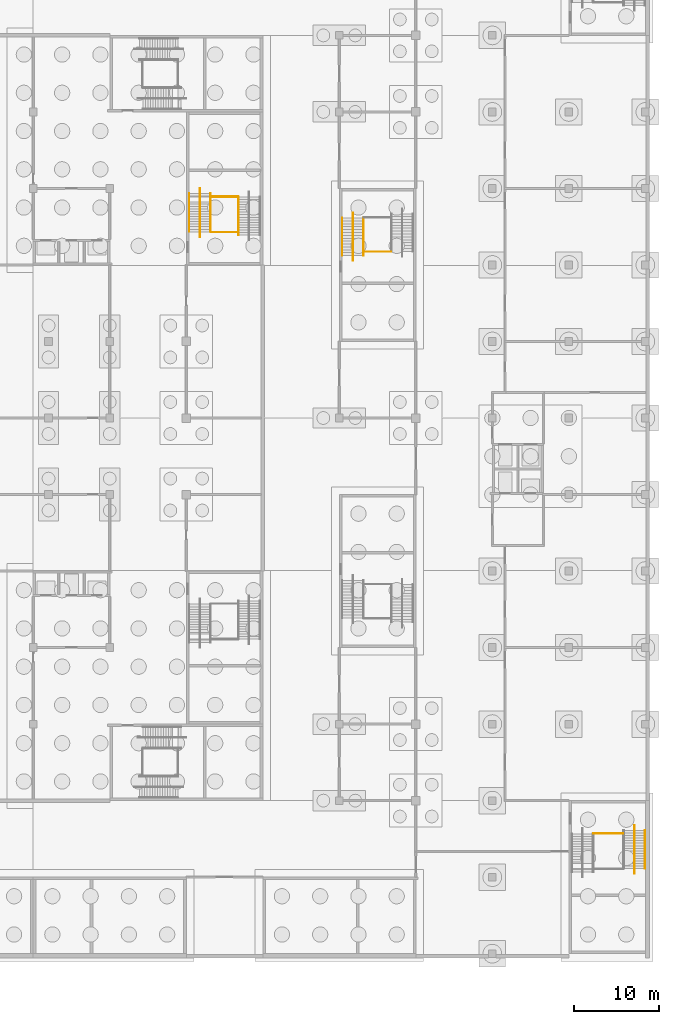
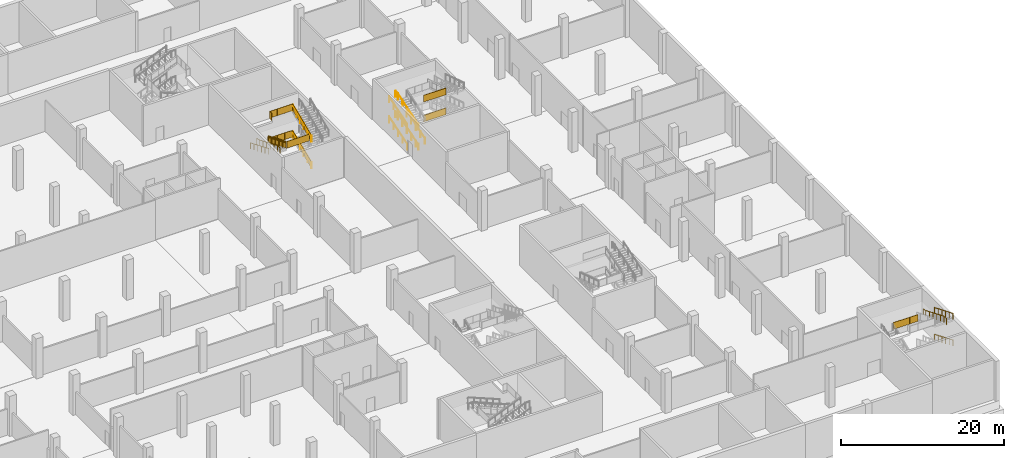
# One storey, part 38 of 42: 22 railings.
"""IFC4 building model written with IfcOpenShell, lengths in metres."""

from ifc_helpers import new_model, si_unit, direction, frame, origin, origin_2d, place, context, subcontext, project, spatial, polyline, circle, outline, extrude, material, type_object, element, save


model = new_model("IFC4")

# Units and contexts
model_context = context("Model", 3, precision=1e-05, world=origin(), true_north=direction((0.0, 1.0)))
body_context = subcontext(model_context, "Body", "Model", "MODEL_VIEW")
ifc_project = project(units=[si_unit("LENGTHUNIT", "METRE"), si_unit("AREAUNIT", "SQUARE_METRE"), si_unit("VOLUMEUNIT", "CUBIC_METRE"), si_unit("PLANEANGLEUNIT", "RADIAN"), si_unit("MASSUNIT", "GRAM", prefix="KILO")], contexts=[model_context])

# Site, building, storey
site_placement = place(None, origin())
site = spatial("IfcSite", under=ifc_project, at=site_placement, CompositionType="ELEMENT")
building_placement = place(site_placement, origin())
building = spatial("IfcBuilding", under=site, at=building_placement, Name="Silverbay Arena", CompositionType="ELEMENT")
storey_placement = place(building_placement, frame((0.0, 0.0, -6.0)))
storey = spatial("IfcBuildingStorey", under=building, at=storey_placement, Name="B1", CompositionType="ELEMENT", Elevation=-6.0)

# Railings
ifc_material_1 = material(Name="Stainless steel", Category="steel")
railing_type_1 = type_object("IfcRailingType", Name="Stair guard 1100", PredefinedType="GUARDRAIL", material=ifc_material_1)
for number, where, name in (
    (1, (200.89990234375, 100.550048828125, 3.0), "Stair ST-E2 B1 to L00 landing 2 guard"),
    (2, (200.89990234375, 100.550048828125, 6.0), "Stair ST-E2 B1 to L00 landing 4 guard"),
):
    element("IfcRailing", number, at=place(storey_placement, frame(where)), inside=storey, type_object=railing_type_1, Name=name, PredefinedType="GUARDRAIL", context=body_context, shape_type="SweptSolid", body=[
        extrude(circle(Radius=0.02392578125, at=origin_2d()), frame((0.0, 0.0, 1.076171875), z_axis=(1.0, 0.0, 0.0), x_axis=(0.0, 1.0, 0.0)), (0.0, 0.0, 1.0), 3.2001953125),
        extrude(outline(polyline([(-0.008056640625, 0.050048828125), (1.07470703125, 0.050048828125), (1.07470703125, 1.052978515625), (-0.008056640625, 1.052978515625), (-0.008056640625, 0.050048828125)])), frame((0.0, 0.0029296875, 0.0), z_axis=(0.0, -1.0, 0.0), x_axis=(1.0, 0.0, 0.0)), (0.0, 0.0, 1.0), 0.006103515625),
        extrude(outline(polyline([(-0.008056640625, 0.050048828125), (1.07470703125, 0.050048828125), (1.07470703125, 1.052978515625), (-0.008056640625, 1.052978515625), (-0.008056640625, 0.050048828125)])), frame((1.066650390625, 0.0029296875, 0.0), z_axis=(0.0, -1.0, 0.0), x_axis=(1.0, 0.0, 0.0)), (0.0, 0.0, 1.0), 0.006103515625),
        extrude(outline(polyline([(-0.008056640625, 0.050048828125), (1.07470703125, 0.050048828125), (1.07470703125, 1.052978515625), (-0.008056640625, 1.052978515625), (-0.008056640625, 0.050048828125)])), frame((2.133544921875, 0.0029296875, 0.0), z_axis=(0.0, -1.0, 0.0), x_axis=(1.0, 0.0, 0.0)), (0.0, 0.0, 1.0), 0.006103515625),
        extrude(circle(Radius=0.02099609375, at=origin_2d()), origin(), (0.0, 0.0, 1.0), 1.052001953125),
        extrude(circle(Radius=0.02099609375, at=origin_2d()), frame((1.066650390625, 0.0, 0.0)), (0.0, 0.0, 1.0), 1.052001953125),
        extrude(circle(Radius=0.02099609375, at=origin_2d()), frame((2.133544921875, 0.0, 0.0)), (0.0, 0.0, 1.0), 1.052001953125),
        extrude(circle(Radius=0.02099609375, at=origin_2d()), frame((3.2001953125, 0.0, 0.0)), (0.0, 0.0, 1.0), 1.052001953125),
    ])
railing_1_placement = place(storey_placement, frame((186.125, 102.510009765625, 0.125)))
element("IfcRailing", 3, at=railing_1_placement, inside=storey, type_object=railing_type_1, Name="Stair ST-NE2 B1 to L00 flight 1 guard left", PredefinedType="GUARDRAIL", context=body_context, shape_type="SweptSolid", body=[
    extrude(circle(Radius=0.02392578125, at=origin_2d()), frame((0.0, 0.0, 1.076171875), z_axis=(0.0, 0.923076923077, 0.384615384615), x_axis=(-1.0, 0.0, 0.0)), (0.0, 0.0, 1.0), 4.875),
    extrude(outline(polyline([(-0.008056640625, 0.046630859375), (0.907958984375, 0.42822265625), (0.907958984375, 1.431396484375), (-0.008056640625, 1.049560546875), (-0.008056640625, 0.046630859375)])), frame((-0.0029296875, 0.0, 0.0), z_axis=(1.0, 0.0, 0.0), x_axis=(0.0, 1.0, 0.0)), (0.0, 0.0, 1.0), 0.006103515625),
    extrude(outline(polyline([(-0.008056640625, 0.421630859375), (0.907958984375, 0.80322265625), (0.907958984375, 1.806396484375), (-0.008056640625, 1.424560546875), (-0.008056640625, 0.421630859375)])), frame((-0.0029296875, 0.89990234375, 0.0), z_axis=(1.0, 0.0, 0.0), x_axis=(0.0, 1.0, 0.0)), (0.0, 0.0, 1.0), 0.006103515625),
    extrude(outline(polyline([(-0.008056640625, 0.796630859375), (0.907958984375, 1.17822265625), (0.907958984375, 2.181396484375), (-0.008056640625, 1.799560546875), (-0.008056640625, 0.796630859375)])), frame((-0.0029296875, 1.800048828125, 0.0), z_axis=(1.0, 0.0, 0.0), x_axis=(0.0, 1.0, 0.0)), (0.0, 0.0, 1.0), 0.006103515625),
    extrude(outline(polyline([(-0.008056640625, 1.171630859375), (0.907958984375, 1.55322265625), (0.907958984375, 2.556396484375), (-0.008056640625, 2.174560546875), (-0.008056640625, 1.171630859375)])), frame((-0.0029296875, 2.699951171875, 0.0), z_axis=(1.0, 0.0, 0.0), x_axis=(0.0, 1.0, 0.0)), (0.0, 0.0, 1.0), 0.006103515625),
    extrude(outline(polyline([(-0.008056640625, 1.546630859375), (0.907958984375, 1.92822265625), (0.907958984375, 2.931396484375), (-0.008056640625, 2.549560546875), (-0.008056640625, 1.546630859375)])), frame((-0.0029296875, 3.60009765625, 0.0), z_axis=(1.0, 0.0, 0.0), x_axis=(0.0, 1.0, 0.0)), (0.0, 0.0, 1.0), 0.006103515625),
    extrude(circle(Radius=0.02099609375, at=origin_2d()), origin(), (0.0, 0.0, 1.0), 1.052001953125),
    extrude(circle(Radius=0.02099609375, at=origin_2d()), frame((0.0, 0.89990234375, 0.375)), (0.0, 0.0, 1.0), 1.052001953125),
    extrude(circle(Radius=0.02099609375, at=origin_2d()), frame((0.0, 1.800048828125, 0.75)), (0.0, 0.0, 1.0), 1.052001953125),
    extrude(circle(Radius=0.02099609375, at=origin_2d()), frame((0.0, 2.699951171875, 1.125)), (0.0, 0.0, 1.0), 1.052001953125),
    extrude(circle(Radius=0.02099609375, at=origin_2d()), frame((0.0, 3.60009765625, 1.5)), (0.0, 0.0, 1.0), 1.052001953125),
    extrude(circle(Radius=0.02099609375, at=origin_2d()), frame((0.0, 4.5, 1.875)), (0.0, 0.0, 1.0), 1.052001953125),
])
railing_2_placement = place(storey_placement, frame((182.875, 107.39990234375, 2.125)))
element("IfcRailing", 4, at=railing_2_placement, inside=storey, type_object=railing_type_1, Name="Stair ST-NE2 B1 to L00 flight 2 guard right", PredefinedType="GUARDRAIL", context=body_context, shape_type="SweptSolid", body=[
    extrude(circle(Radius=0.02392578125, at=origin_2d()), frame((0.0, 0.0, 1.076171875), z_axis=(0.0, -0.923076923077, 0.384615384615), x_axis=(1.0, 0.0, 0.0)), (0.0, 0.0, 1.0), 4.875),
    extrude(outline(polyline([(-0.008056640625, 0.046630859375), (0.907958984375, 0.42822265625), (0.907958984375, 1.431396484375), (-0.008056640625, 1.049560546875), (-0.008056640625, 0.046630859375)])), frame((0.0029296875, 0.0, 0.0), z_axis=(-1.0, 0.0, 0.0), x_axis=(0.0, -1.0, 0.0)), (0.0, 0.0, 1.0), 0.006103515625),
    extrude(outline(polyline([(-0.008056640625, 0.421630859375), (0.907958984375, 0.80322265625), (0.907958984375, 1.806396484375), (-0.008056640625, 1.424560546875), (-0.008056640625, 0.421630859375)])), frame((0.0029296875, -0.89990234375, 0.0), z_axis=(-1.0, 0.0, 0.0), x_axis=(0.0, -1.0, 0.0)), (0.0, 0.0, 1.0), 0.006103515625),
    extrude(outline(polyline([(-0.008056640625, 0.796630859375), (0.907958984375, 1.17822265625), (0.907958984375, 2.181396484375), (-0.008056640625, 1.799560546875), (-0.008056640625, 0.796630859375)])), frame((0.0029296875, -1.800048828125, 0.0), z_axis=(-1.0, 0.0, 0.0), x_axis=(0.0, -1.0, 0.0)), (0.0, 0.0, 1.0), 0.006103515625),
    extrude(outline(polyline([(-0.008056640625, 1.171630859375), (0.907958984375, 1.55322265625), (0.907958984375, 2.556396484375), (-0.008056640625, 2.174560546875), (-0.008056640625, 1.171630859375)])), frame((0.0029296875, -2.699951171875, 0.0), z_axis=(-1.0, 0.0, 0.0), x_axis=(0.0, -1.0, 0.0)), (0.0, 0.0, 1.0), 0.006103515625),
    extrude(outline(polyline([(-0.008056640625, 1.546630859375), (0.907958984375, 1.92822265625), (0.907958984375, 2.931396484375), (-0.008056640625, 2.549560546875), (-0.008056640625, 1.546630859375)])), frame((0.0029296875, -3.60009765625, 0.0), z_axis=(-1.0, 0.0, 0.0), x_axis=(0.0, -1.0, 0.0)), (0.0, 0.0, 1.0), 0.006103515625),
    extrude(circle(Radius=0.02099609375, at=origin_2d()), origin(), (0.0, 0.0, 1.0), 1.052001953125),
    extrude(circle(Radius=0.02099609375, at=origin_2d()), frame((0.0, -0.89990234375, 0.375)), (0.0, 0.0, 1.0), 1.052001953125),
    extrude(circle(Radius=0.02099609375, at=origin_2d()), frame((0.0, -1.800048828125, 0.75)), (0.0, 0.0, 1.0), 1.052001953125),
    extrude(circle(Radius=0.02099609375, at=origin_2d()), frame((0.0, -2.699951171875, 1.125)), (0.0, 0.0, 1.0), 1.052001953125),
    extrude(circle(Radius=0.02099609375, at=origin_2d()), frame((0.0, -3.60009765625, 1.5)), (0.0, 0.0, 1.0), 1.052001953125),
    extrude(circle(Radius=0.02099609375, at=origin_2d()), frame((0.0, -4.5, 1.875)), (0.0, 0.0, 1.0), 1.052001953125),
])
railing_3_placement = place(storey_placement, frame((186.125, 102.510009765625, 4.125)))
element("IfcRailing", 5, at=railing_3_placement, inside=storey, type_object=railing_type_1, Name="Stair ST-NE2 B1 to L00 flight 3 guard left", PredefinedType="GUARDRAIL", context=body_context, shape_type="SweptSolid", body=[
    extrude(circle(Radius=0.02392578125, at=origin_2d()), frame((0.0, 0.0, 1.076171875), z_axis=(0.0, 0.923076923077, 0.384615384615), x_axis=(-1.0, 0.0, 0.0)), (0.0, 0.0, 1.0), 4.875),
    extrude(outline(polyline([(-0.008056640625, 0.046630859375), (0.907958984375, 0.42822265625), (0.907958984375, 1.431396484375), (-0.008056640625, 1.049560546875), (-0.008056640625, 0.046630859375)])), frame((-0.0029296875, 0.0, 0.0), z_axis=(1.0, 0.0, 0.0), x_axis=(0.0, 1.0, 0.0)), (0.0, 0.0, 1.0), 0.006103515625),
    extrude(outline(polyline([(-0.008056640625, 0.421630859375), (0.907958984375, 0.80322265625), (0.907958984375, 1.806396484375), (-0.008056640625, 1.424560546875), (-0.008056640625, 0.421630859375)])), frame((-0.0029296875, 0.89990234375, 0.0), z_axis=(1.0, 0.0, 0.0), x_axis=(0.0, 1.0, 0.0)), (0.0, 0.0, 1.0), 0.006103515625),
    extrude(outline(polyline([(-0.008056640625, 0.796630859375), (0.907958984375, 1.17822265625), (0.907958984375, 2.181396484375), (-0.008056640625, 1.799560546875), (-0.008056640625, 0.796630859375)])), frame((-0.0029296875, 1.800048828125, 0.0), z_axis=(1.0, 0.0, 0.0), x_axis=(0.0, 1.0, 0.0)), (0.0, 0.0, 1.0), 0.006103515625),
    extrude(outline(polyline([(-0.008056640625, 1.171630859375), (0.907958984375, 1.55322265625), (0.907958984375, 2.556396484375), (-0.008056640625, 2.174560546875), (-0.008056640625, 1.171630859375)])), frame((-0.0029296875, 2.699951171875, 0.0), z_axis=(1.0, 0.0, 0.0), x_axis=(0.0, 1.0, 0.0)), (0.0, 0.0, 1.0), 0.006103515625),
    extrude(outline(polyline([(-0.008056640625, 1.546630859375), (0.907958984375, 1.92822265625), (0.907958984375, 2.931396484375), (-0.008056640625, 2.549560546875), (-0.008056640625, 1.546630859375)])), frame((-0.0029296875, 3.60009765625, 0.0), z_axis=(1.0, 0.0, 0.0), x_axis=(0.0, 1.0, 0.0)), (0.0, 0.0, 1.0), 0.006103515625),
    extrude(circle(Radius=0.02099609375, at=origin_2d()), origin(), (0.0, 0.0, 1.0), 1.052001953125),
    extrude(circle(Radius=0.02099609375, at=origin_2d()), frame((0.0, 0.89990234375, 0.375)), (0.0, 0.0, 1.0), 1.052001953125),
    extrude(circle(Radius=0.02099609375, at=origin_2d()), frame((0.0, 1.800048828125, 0.75)), (0.0, 0.0, 1.0), 1.052001953125),
    extrude(circle(Radius=0.02099609375, at=origin_2d()), frame((0.0, 2.699951171875, 1.125)), (0.0, 0.0, 1.0), 1.052001953125),
    extrude(circle(Radius=0.02099609375, at=origin_2d()), frame((0.0, 3.60009765625, 1.5)), (0.0, 0.0, 1.0), 1.052001953125),
    extrude(circle(Radius=0.02099609375, at=origin_2d()), frame((0.0, 4.5, 1.875)), (0.0, 0.0, 1.0), 1.052001953125),
])
for number, where, name in (
    (6, (182.89990234375, 107.06005859375, 2.0), "Stair ST-NE2 B1 to L00 landing 1 guard"),
    (7, (182.89990234375, 102.85009765625, 4.0), "Stair ST-NE2 B1 to L00 landing 2 guard"),
):
    element("IfcRailing", number, at=place(storey_placement, frame(where)), inside=storey, type_object=railing_type_1, Name=name, PredefinedType="GUARDRAIL", context=body_context, shape_type="SweptSolid", body=[
        extrude(circle(Radius=0.02392578125, at=origin_2d()), frame((0.0, 0.0, 1.076171875), z_axis=(1.0, 0.0, 0.0), x_axis=(0.0, 1.0, 0.0)), (0.0, 0.0, 1.0), 3.2001953125),
        extrude(outline(polyline([(-0.008056640625, 0.050048828125), (1.07470703125, 0.050048828125), (1.07470703125, 1.052978515625), (-0.008056640625, 1.052978515625), (-0.008056640625, 0.050048828125)])), frame((0.0, 0.0029296875, 0.0), z_axis=(0.0, -1.0, 0.0), x_axis=(1.0, 0.0, 0.0)), (0.0, 0.0, 1.0), 0.006103515625),
        extrude(outline(polyline([(-0.008056640625, 0.050048828125), (1.07470703125, 0.050048828125), (1.07470703125, 1.052978515625), (-0.008056640625, 1.052978515625), (-0.008056640625, 0.050048828125)])), frame((1.066650390625, 0.0029296875, 0.0), z_axis=(0.0, -1.0, 0.0), x_axis=(1.0, 0.0, 0.0)), (0.0, 0.0, 1.0), 0.006103515625),
        extrude(outline(polyline([(-0.008056640625, 0.050048828125), (1.07470703125, 0.050048828125), (1.07470703125, 1.052978515625), (-0.008056640625, 1.052978515625), (-0.008056640625, 0.050048828125)])), frame((2.133544921875, 0.0029296875, 0.0), z_axis=(0.0, -1.0, 0.0), x_axis=(1.0, 0.0, 0.0)), (0.0, 0.0, 1.0), 0.006103515625),
        extrude(circle(Radius=0.02099609375, at=origin_2d()), origin(), (0.0, 0.0, 1.0), 1.052001953125),
        extrude(circle(Radius=0.02099609375, at=origin_2d()), frame((1.066650390625, 0.0, 0.0)), (0.0, 0.0, 1.0), 1.052001953125),
        extrude(circle(Radius=0.02099609375, at=origin_2d()), frame((2.133544921875, 0.0, 0.0)), (0.0, 0.0, 1.0), 1.052001953125),
        extrude(circle(Radius=0.02099609375, at=origin_2d()), frame((3.2001953125, 0.0, 0.0)), (0.0, 0.0, 1.0), 1.052001953125),
    ])
railing_4_placement = place(storey_placement, frame((182.85009765625, 106.449951171875, 6.0)))
element("IfcRailing", 8, at=railing_4_placement, inside=storey, type_object=railing_type_1, Name="Stair ST-NE2 B1 to L00 landing 3 guard", PredefinedType="GUARDRAIL", context=body_context, shape_type="SweptSolid", body=[
    extrude(circle(Radius=0.02392578125, at=origin_2d()), frame((0.0, 0.0, 1.076171875), z_axis=(0.0, 1.0, 0.0), x_axis=(-1.0, 0.0, 0.0)), (0.0, 0.0, 1.0), 0.56005859375),
    extrude(outline(polyline([(-0.008056640625, 0.050048828125), (0.568115234375, 0.050048828125), (0.568115234375, 1.052978515625), (-0.008056640625, 1.052978515625), (-0.008056640625, 0.050048828125)])), frame((-0.0029296875, 0.0, 0.0), z_axis=(1.0, 0.0, 0.0), x_axis=(0.0, 1.0, 0.0)), (0.0, 0.0, 1.0), 0.006103515625),
    extrude(circle(Radius=0.02392578125, at=origin_2d()), frame((0.0, 0.56005859375, 1.076171875), z_axis=(1.0, 0.0, 0.0), x_axis=(0.0, 1.0, 0.0)), (0.0, 0.0, 1.0), 3.25),
    extrude(outline(polyline([(-0.008056640625, 0.050048828125), (1.09130859375, 0.050048828125), (1.09130859375, 1.052978515625), (-0.008056640625, 1.052978515625), (-0.008056640625, 0.050048828125)])), frame((0.0, 0.56298828125, 0.0), z_axis=(0.0, -1.0, 0.0), x_axis=(1.0, 0.0, 0.0)), (0.0, 0.0, 1.0), 0.006103515625),
    extrude(outline(polyline([(-0.008056640625, 0.050048828125), (1.09130859375, 0.050048828125), (1.09130859375, 1.052978515625), (-0.008056640625, 1.052978515625), (-0.008056640625, 0.050048828125)])), frame((1.083251953125, 0.56298828125, 0.0), z_axis=(0.0, -1.0, 0.0), x_axis=(1.0, 0.0, 0.0)), (0.0, 0.0, 1.0), 0.006103515625),
    extrude(outline(polyline([(-0.008056640625, 0.050048828125), (1.09130859375, 0.050048828125), (1.09130859375, 1.052978515625), (-0.008056640625, 1.052978515625), (-0.008056640625, 0.050048828125)])), frame((2.166748046875, 0.56298828125, 0.0), z_axis=(0.0, -1.0, 0.0), x_axis=(1.0, 0.0, 0.0)), (0.0, 0.0, 1.0), 0.006103515625),
    extrude(circle(Radius=0.02099609375, at=origin_2d()), origin(), (0.0, 0.0, 1.0), 1.052001953125),
    extrude(circle(Radius=0.02099609375, at=origin_2d()), frame((0.0, 0.56005859375, 0.0)), (0.0, 0.0, 1.0), 1.052001953125),
    extrude(circle(Radius=0.02099609375, at=origin_2d()), frame((1.083251953125, 0.56005859375, 0.0)), (0.0, 0.0, 1.0), 1.052001953125),
    extrude(circle(Radius=0.02099609375, at=origin_2d()), frame((2.166748046875, 0.56005859375, 0.0)), (0.0, 0.0, 1.0), 1.052001953125),
    extrude(circle(Radius=0.02099609375, at=origin_2d()), frame((3.25, 0.56005859375, 0.0)), (0.0, 0.0, 1.0), 1.052001953125),
])
railing_5_placement = place(storey_placement, frame((227.89990234375, 32.14990234375, 4.0)))
element("IfcRailing", 9, at=railing_5_placement, inside=storey, type_object=railing_type_1, Name="Stair ST-EG1 B1 to L00 landing 2 guard", PredefinedType="GUARDRAIL", context=body_context, shape_type="SweptSolid", body=[
    extrude(circle(Radius=0.02392578125, at=origin_2d()), frame((0.0, 0.0, 1.076171875), z_axis=(1.0, 0.0, 0.0), x_axis=(0.0, 1.0, 0.0)), (0.0, 0.0, 1.0), 3.5),
    extrude(outline(polyline([(-0.008056640625, 0.050048828125), (1.174560546875, 0.050048828125), (1.174560546875, 1.052978515625), (-0.008056640625, 1.052978515625), (-0.008056640625, 0.050048828125)])), frame((0.0, 0.0029296875, 0.0), z_axis=(0.0, -1.0, 0.0), x_axis=(1.0, 0.0, 0.0)), (0.0, 0.0, 1.0), 0.006103515625),
    extrude(outline(polyline([(-0.008056640625, 0.050048828125), (1.174560546875, 0.050048828125), (1.174560546875, 1.052978515625), (-0.008056640625, 1.052978515625), (-0.008056640625, 0.050048828125)])), frame((1.166748046875, 0.0029296875, 0.0), z_axis=(0.0, -1.0, 0.0), x_axis=(1.0, 0.0, 0.0)), (0.0, 0.0, 1.0), 0.006103515625),
    extrude(outline(polyline([(-0.008056640625, 0.050048828125), (1.174560546875, 0.050048828125), (1.174560546875, 1.052978515625), (-0.008056640625, 1.052978515625), (-0.008056640625, 0.050048828125)])), frame((2.333251953125, 0.0029296875, 0.0), z_axis=(0.0, -1.0, 0.0), x_axis=(1.0, 0.0, 0.0)), (0.0, 0.0, 1.0), 0.006103515625),
    extrude(circle(Radius=0.02099609375, at=origin_2d()), origin(), (0.0, 0.0, 1.0), 1.052001953125),
    extrude(circle(Radius=0.02099609375, at=origin_2d()), frame((1.166748046875, 0.0, 0.0)), (0.0, 0.0, 1.0), 1.052001953125),
    extrude(circle(Radius=0.02099609375, at=origin_2d()), frame((2.333251953125, 0.0, 0.0)), (0.0, 0.0, 1.0), 1.052001953125),
    extrude(circle(Radius=0.02099609375, at=origin_2d()), frame((3.5, 0.0, 0.0)), (0.0, 0.0, 1.0), 1.052001953125),
])
ifc_material_2 = material(Name="Stainless steel", Category="steel")
railing_type_2 = type_object("IfcRailingType", Name="Stair handrail 900", PredefinedType="HANDRAIL", material=ifc_material_2)
for number, where, name in (
    (10, (198.35009765625, 100.100830078125, 0.107177734375), "Stair ST-E2 B1 to L00 flight 1 handrail left"),
    (11, (200.8359375, 100.100830078125, 0.107177734375), "Stair ST-E2 B1 to L00 flight 1 handrail right"),
):
    element("IfcRailing", number, at=place(storey_placement, frame(where)), inside=storey, type_object=railing_type_2, Name=name, PredefinedType="HANDRAIL", context=body_context, shape_type="SweptSolid", body=[
        extrude(circle(Radius=0.02392578125, at=origin_2d()), frame((0.0, 0.0, 0.8759765625), z_axis=(0.0, 0.953769580967, 0.300538826811), x_axis=(-1.0, 0.0, 0.0)), (0.0, 0.0, 1.0), 4.634521484375),
        extrude(circle(Radius=0.02099609375, at=origin_2d()), origin(), (0.0, 0.0, 1.0), 0.851806640625),
        extrude(circle(Radius=0.02099609375, at=origin_2d()), frame((0.0, 1.10498046875, 0.34814453125)), (0.0, 0.0, 1.0), 0.851806640625),
        extrude(circle(Radius=0.02099609375, at=origin_2d()), frame((0.0, 2.2099609375, 0.6962890625)), (0.0, 0.0, 1.0), 0.851806640625),
        extrude(circle(Radius=0.02099609375, at=origin_2d()), frame((0.0, 3.315185546875, 1.044677734375)), (0.0, 0.0, 1.0), 0.851806640625),
        extrude(circle(Radius=0.02099609375, at=origin_2d()), frame((0.0, 4.420166015625, 1.392822265625)), (0.0, 0.0, 1.0), 0.851806640625),
    ])
railing_6_placement = place(storey_placement, frame((199.60009765625, 99.5009765625, 0.0)))
element("IfcRailing", 12, at=railing_6_placement, inside=storey, type_object=railing_type_2, Name="Stair ST-E2 B1 to L00 flight 1 central handrail", PredefinedType="HANDRAIL", context=body_context, shape_type="SweptSolid", body=[
    extrude(circle(Radius=0.02392578125, at=origin_2d()), frame((0.0, 0.0, 0.8759765625), z_axis=(0.0, 0.984410237054, 0.175887706173), x_axis=(-1.0, 0.0, 0.0)), (0.0, 0.0, 1.0), 0.609375),
    extrude(circle(Radius=0.02392578125, at=origin_2d()), frame((0.0, 0.599853515625, 0.98291015625), z_axis=(0.0, 0.953769580967, 0.300538826811), x_axis=(-1.0, 0.0, 0.0)), (0.0, 0.0, 1.0), 4.634521484375),
    extrude(circle(Radius=0.02392578125, at=origin_2d()), frame((0.0, 5.02001953125, 2.3759765625), z_axis=(0.0, 1.0, 0.0), x_axis=(-1.0, 0.0, 0.0)), (0.0, 0.0, 1.0), 0.599853515625),
    extrude(circle(Radius=0.02099609375, at=origin_2d()), origin(), (0.0, 0.0, 1.0), 0.851806640625),
    extrude(circle(Radius=0.02099609375, at=origin_2d()), frame((0.0, 0.599853515625, 0.107177734375)), (0.0, 0.0, 1.0), 0.851806640625),
    extrude(circle(Radius=0.02099609375, at=origin_2d()), frame((0.0, 1.704833984375, 0.455322265625)), (0.0, 0.0, 1.0), 0.851806640625),
    extrude(circle(Radius=0.02099609375, at=origin_2d()), frame((0.0, 2.81005859375, 0.8037109375)), (0.0, 0.0, 1.0), 0.851806640625),
    extrude(circle(Radius=0.02099609375, at=origin_2d()), frame((0.0, 3.9150390625, 1.15185546875)), (0.0, 0.0, 1.0), 0.851806640625),
    extrude(circle(Radius=0.02099609375, at=origin_2d()), frame((0.0, 5.02001953125, 1.5)), (0.0, 0.0, 1.0), 0.851806640625),
    extrude(circle(Radius=0.02099609375, at=origin_2d()), frame((0.0, 5.619873046875, 1.5)), (0.0, 0.0, 1.0), 0.851806640625),
])
railing_7_placement = place(storey_placement, frame((198.35009765625, 100.100830078125, 3.107177734375)))
element("IfcRailing", 13, at=railing_7_placement, inside=storey, type_object=railing_type_2, Name="Stair ST-E2 B1 to L00 flight 3 handrail left", PredefinedType="HANDRAIL", context=body_context, shape_type="SweptSolid", body=[
    extrude(circle(Radius=0.02392578125, at=origin_2d()), frame((0.0, 0.0, 0.8759765625), z_axis=(0.0, 0.953769580967, 0.300538826811), x_axis=(-1.0, 0.0, 0.0)), (0.0, 0.0, 1.0), 4.634521484375),
    extrude(circle(Radius=0.02099609375, at=origin_2d()), origin(), (0.0, 0.0, 1.0), 0.851806640625),
    extrude(circle(Radius=0.02099609375, at=origin_2d()), frame((0.0, 1.10498046875, 0.34814453125)), (0.0, 0.0, 1.0), 0.851806640625),
    extrude(circle(Radius=0.02099609375, at=origin_2d()), frame((0.0, 2.2099609375, 0.6962890625)), (0.0, 0.0, 1.0), 0.851806640625),
    extrude(circle(Radius=0.02099609375, at=origin_2d()), frame((0.0, 3.315185546875, 1.044677734375)), (0.0, 0.0, 1.0), 0.851806640625),
    extrude(circle(Radius=0.02099609375, at=origin_2d()), frame((0.0, 4.420166015625, 1.392822265625)), (0.0, 0.0, 1.0), 0.851806640625),
])
railing_8_placement = place(storey_placement, frame((199.60009765625, 99.5009765625, 3.0)))
element("IfcRailing", 14, at=railing_8_placement, inside=storey, type_object=railing_type_2, Name="Stair ST-E2 B1 to L00 flight 3 central handrail", PredefinedType="HANDRAIL", context=body_context, shape_type="SweptSolid", body=[
    extrude(circle(Radius=0.02392578125, at=origin_2d()), frame((0.0, 0.0, 0.8759765625), z_axis=(0.0, 0.984410237054, 0.175887706173), x_axis=(-1.0, 0.0, 0.0)), (0.0, 0.0, 1.0), 0.609375),
    extrude(circle(Radius=0.02392578125, at=origin_2d()), frame((0.0, 0.599853515625, 0.98291015625), z_axis=(0.0, 0.953769580967, 0.300538826811), x_axis=(-1.0, 0.0, 0.0)), (0.0, 0.0, 1.0), 4.634521484375),
    extrude(circle(Radius=0.02392578125, at=origin_2d()), frame((0.0, 5.02001953125, 2.3759765625), z_axis=(0.0, 1.0, 0.0), x_axis=(-1.0, 0.0, 0.0)), (0.0, 0.0, 1.0), 0.599853515625),
    extrude(circle(Radius=0.02099609375, at=origin_2d()), origin(), (0.0, 0.0, 1.0), 0.851806640625),
    extrude(circle(Radius=0.02099609375, at=origin_2d()), frame((0.0, 0.599853515625, 0.107177734375)), (0.0, 0.0, 1.0), 0.851806640625),
    extrude(circle(Radius=0.02099609375, at=origin_2d()), frame((0.0, 1.704833984375, 0.455322265625)), (0.0, 0.0, 1.0), 0.851806640625),
    extrude(circle(Radius=0.02099609375, at=origin_2d()), frame((0.0, 2.81005859375, 0.8037109375)), (0.0, 0.0, 1.0), 0.851806640625),
    extrude(circle(Radius=0.02099609375, at=origin_2d()), frame((0.0, 3.9150390625, 1.15185546875)), (0.0, 0.0, 1.0), 0.851806640625),
    extrude(circle(Radius=0.02099609375, at=origin_2d()), frame((0.0, 5.02001953125, 1.5)), (0.0, 0.0, 1.0), 0.851806640625),
    extrude(circle(Radius=0.02099609375, at=origin_2d()), frame((0.0, 5.619873046875, 1.5)), (0.0, 0.0, 1.0), 0.851806640625),
])
railing_9_placement = place(storey_placement, frame((186.1640625, 102.510009765625, 0.125)))
element("IfcRailing", 15, at=railing_9_placement, inside=storey, type_object=railing_type_2, Name="Stair ST-NE2 B1 to L00 flight 1 handrail left", PredefinedType="HANDRAIL", context=body_context, shape_type="SweptSolid", body=[
    extrude(circle(Radius=0.02392578125, at=origin_2d()), frame((0.0, 0.0, 0.8759765625), z_axis=(0.0, 0.923076923077, 0.384615384615), x_axis=(-1.0, 0.0, 0.0)), (0.0, 0.0, 1.0), 4.875),
    extrude(circle(Radius=0.02099609375, at=origin_2d()), origin(), (0.0, 0.0, 1.0), 0.851806640625),
    extrude(circle(Radius=0.02099609375, at=origin_2d()), frame((0.0, 0.89990234375, 0.375)), (0.0, 0.0, 1.0), 0.851806640625),
    extrude(circle(Radius=0.02099609375, at=origin_2d()), frame((0.0, 1.800048828125, 0.75)), (0.0, 0.0, 1.0), 0.851806640625),
    extrude(circle(Radius=0.02099609375, at=origin_2d()), frame((0.0, 2.699951171875, 1.125)), (0.0, 0.0, 1.0), 0.851806640625),
    extrude(circle(Radius=0.02099609375, at=origin_2d()), frame((0.0, 3.60009765625, 1.5)), (0.0, 0.0, 1.0), 0.851806640625),
    extrude(circle(Radius=0.02099609375, at=origin_2d()), frame((0.0, 4.5, 1.875)), (0.0, 0.0, 1.0), 0.851806640625),
])
for number, where, name in (
    (16, (180.35009765625, 107.39990234375, 2.125), "Stair ST-NE2 B1 to L00 flight 2 handrail left"),
    (17, (182.8359375, 107.39990234375, 2.125), "Stair ST-NE2 B1 to L00 flight 2 handrail right"),
):
    element("IfcRailing", number, at=place(storey_placement, frame(where)), inside=storey, type_object=railing_type_2, Name=name, PredefinedType="HANDRAIL", context=body_context, shape_type="SweptSolid", body=[
        extrude(circle(Radius=0.02392578125, at=origin_2d()), frame((0.0, 0.0, 0.8759765625), z_axis=(0.0, -0.923076923077, 0.384615384615), x_axis=(1.0, 0.0, 0.0)), (0.0, 0.0, 1.0), 4.875),
        extrude(circle(Radius=0.02099609375, at=origin_2d()), origin(), (0.0, 0.0, 1.0), 0.851806640625),
        extrude(circle(Radius=0.02099609375, at=origin_2d()), frame((0.0, -0.89990234375, 0.375)), (0.0, 0.0, 1.0), 0.851806640625),
        extrude(circle(Radius=0.02099609375, at=origin_2d()), frame((0.0, -1.800048828125, 0.75)), (0.0, 0.0, 1.0), 0.851806640625),
        extrude(circle(Radius=0.02099609375, at=origin_2d()), frame((0.0, -2.699951171875, 1.125)), (0.0, 0.0, 1.0), 0.851806640625),
        extrude(circle(Radius=0.02099609375, at=origin_2d()), frame((0.0, -3.60009765625, 1.5)), (0.0, 0.0, 1.0), 0.851806640625),
        extrude(circle(Radius=0.02099609375, at=origin_2d()), frame((0.0, -4.5, 1.875)), (0.0, 0.0, 1.0), 0.851806640625),
    ])
railing_10_placement = place(storey_placement, frame((181.60009765625, 108.0, 2.0)))
element("IfcRailing", 18, at=railing_10_placement, inside=storey, type_object=railing_type_2, Name="Stair ST-NE2 B1 to L00 flight 2 central handrail", PredefinedType="HANDRAIL", context=body_context, shape_type="SweptSolid", body=[
    extrude(circle(Radius=0.02392578125, at=origin_2d()), frame((0.0, 0.0, 0.8759765625), z_axis=(0.0, -0.978987046276, 0.203922444139), x_axis=(1.0, 0.0, 0.0)), (0.0, 0.0, 1.0), 0.613037109375),
    extrude(circle(Radius=0.02392578125, at=origin_2d()), frame((0.0, -0.60009765625, 1.0009765625), z_axis=(0.0, -0.923076923077, 0.384615384615), x_axis=(1.0, 0.0, 0.0)), (0.0, 0.0, 1.0), 4.875),
    extrude(circle(Radius=0.02392578125, at=origin_2d()), frame((0.0, -5.10009765625, 2.8759765625), z_axis=(0.0, -1.0, 0.0), x_axis=(1.0, 0.0, 0.0)), (0.0, 0.0, 1.0), 0.599853515625),
    extrude(circle(Radius=0.02099609375, at=origin_2d()), origin(), (0.0, 0.0, 1.0), 0.851806640625),
    extrude(circle(Radius=0.02099609375, at=origin_2d()), frame((0.0, -0.60009765625, 0.125)), (0.0, 0.0, 1.0), 0.851806640625),
    extrude(circle(Radius=0.02099609375, at=origin_2d()), frame((0.0, -1.5, 0.5)), (0.0, 0.0, 1.0), 0.851806640625),
    extrude(circle(Radius=0.02099609375, at=origin_2d()), frame((0.0, -2.400146484375, 0.875)), (0.0, 0.0, 1.0), 0.851806640625),
    extrude(circle(Radius=0.02099609375, at=origin_2d()), frame((0.0, -3.300048828125, 1.25)), (0.0, 0.0, 1.0), 0.851806640625),
    extrude(circle(Radius=0.02099609375, at=origin_2d()), frame((0.0, -4.2001953125, 1.625)), (0.0, 0.0, 1.0), 0.851806640625),
    extrude(circle(Radius=0.02099609375, at=origin_2d()), frame((0.0, -5.10009765625, 2.0)), (0.0, 0.0, 1.0), 0.851806640625),
    extrude(circle(Radius=0.02099609375, at=origin_2d()), frame((0.0, -5.699951171875, 2.0)), (0.0, 0.0, 1.0), 0.851806640625),
])
railing_11_placement = place(storey_placement, frame((186.1640625, 102.510009765625, 4.125)))
element("IfcRailing", 19, at=railing_11_placement, inside=storey, type_object=railing_type_2, Name="Stair ST-NE2 B1 to L00 flight 3 handrail left", PredefinedType="HANDRAIL", context=body_context, shape_type="SweptSolid", body=[
    extrude(circle(Radius=0.02392578125, at=origin_2d()), frame((0.0, 0.0, 0.8759765625), z_axis=(0.0, 0.923076923077, 0.384615384615), x_axis=(-1.0, 0.0, 0.0)), (0.0, 0.0, 1.0), 4.875),
    extrude(circle(Radius=0.02099609375, at=origin_2d()), origin(), (0.0, 0.0, 1.0), 0.851806640625),
    extrude(circle(Radius=0.02099609375, at=origin_2d()), frame((0.0, 0.89990234375, 0.375)), (0.0, 0.0, 1.0), 0.851806640625),
    extrude(circle(Radius=0.02099609375, at=origin_2d()), frame((0.0, 1.800048828125, 0.75)), (0.0, 0.0, 1.0), 0.851806640625),
    extrude(circle(Radius=0.02099609375, at=origin_2d()), frame((0.0, 2.699951171875, 1.125)), (0.0, 0.0, 1.0), 0.851806640625),
    extrude(circle(Radius=0.02099609375, at=origin_2d()), frame((0.0, 3.60009765625, 1.5)), (0.0, 0.0, 1.0), 0.851806640625),
    extrude(circle(Radius=0.02099609375, at=origin_2d()), frame((0.0, 4.5, 1.875)), (0.0, 0.0, 1.0), 0.851806640625),
])
for number, where, name in (
    (20, (233.949951171875, 32.489990234375, 0.125), "Stair ST-EG1 B1 to L00 flight 1 handrail right"),
    (21, (233.949951171875, 32.489990234375, 4.125), "Stair ST-EG1 B1 to L00 flight 3 handrail right"),
):
    element("IfcRailing", number, at=place(storey_placement, frame(where)), inside=storey, type_object=railing_type_2, Name=name, PredefinedType="HANDRAIL", context=body_context, shape_type="SweptSolid", body=[
        extrude(circle(Radius=0.02392578125, at=origin_2d()), frame((0.0, 0.0, 0.8759765625), z_axis=(0.0, -0.923076923077, 0.384615384615), x_axis=(1.0, 0.0, 0.0)), (0.0, 0.0, 1.0), 4.875),
        extrude(circle(Radius=0.02099609375, at=origin_2d()), origin(), (0.0, 0.0, 1.0), 0.851806640625),
        extrude(circle(Radius=0.02099609375, at=origin_2d()), frame((0.0, -0.89990234375, 0.375)), (0.0, 0.0, 1.0), 0.851806640625),
        extrude(circle(Radius=0.02099609375, at=origin_2d()), frame((0.0, -1.800048828125, 0.75)), (0.0, 0.0, 1.0), 0.851806640625),
        extrude(circle(Radius=0.02099609375, at=origin_2d()), frame((0.0, -2.699951171875, 1.125)), (0.0, 0.0, 1.0), 0.851806640625),
        extrude(circle(Radius=0.02099609375, at=origin_2d()), frame((0.0, -3.60009765625, 1.5)), (0.0, 0.0, 1.0), 0.851806640625),
        extrude(circle(Radius=0.02099609375, at=origin_2d()), frame((0.0, -4.5, 1.875)), (0.0, 0.0, 1.0), 0.851806640625),
    ])
railing_12_placement = place(storey_placement, frame((232.699951171875, 33.090087890625, 4.0)))
element("IfcRailing", 22, at=railing_12_placement, inside=storey, type_object=railing_type_2, Name="Stair ST-EG1 B1 to L00 flight 3 central handrail", PredefinedType="HANDRAIL", context=body_context, shape_type="SweptSolid", body=[
    extrude(circle(Radius=0.02392578125, at=origin_2d()), frame((0.0, 0.0, 0.8759765625), z_axis=(0.0, -0.978987046276, 0.203922444139), x_axis=(1.0, 0.0, 0.0)), (0.0, 0.0, 1.0), 0.613037109375),
    extrude(circle(Radius=0.02392578125, at=origin_2d()), frame((0.0, -0.60009765625, 1.0009765625), z_axis=(0.0, -0.923076923077, 0.384615384615), x_axis=(1.0, 0.0, 0.0)), (0.0, 0.0, 1.0), 4.875),
    extrude(circle(Radius=0.02392578125, at=origin_2d()), frame((0.0, -5.10009765625, 2.8759765625), z_axis=(0.0, -1.0, 0.0), x_axis=(1.0, 0.0, 0.0)), (0.0, 0.0, 1.0), 0.60009765625),
    extrude(circle(Radius=0.02099609375, at=origin_2d()), origin(), (0.0, 0.0, 1.0), 0.851806640625),
    extrude(circle(Radius=0.02099609375, at=origin_2d()), frame((0.0, -0.60009765625, 0.125)), (0.0, 0.0, 1.0), 0.851806640625),
    extrude(circle(Radius=0.02099609375, at=origin_2d()), frame((0.0, -1.5, 0.5)), (0.0, 0.0, 1.0), 0.851806640625),
    extrude(circle(Radius=0.02099609375, at=origin_2d()), frame((0.0, -2.400146484375, 0.875)), (0.0, 0.0, 1.0), 0.851806640625),
    extrude(circle(Radius=0.02099609375, at=origin_2d()), frame((0.0, -3.300048828125, 1.25)), (0.0, 0.0, 1.0), 0.851806640625),
    extrude(circle(Radius=0.02099609375, at=origin_2d()), frame((0.0, -4.2001953125, 1.625)), (0.0, 0.0, 1.0), 0.851806640625),
    extrude(circle(Radius=0.02099609375, at=origin_2d()), frame((0.0, -5.10009765625, 2.0)), (0.0, 0.0, 1.0), 0.851806640625),
    extrude(circle(Radius=0.02099609375, at=origin_2d()), frame((0.0, -5.7001953125, 2.0)), (0.0, 0.0, 1.0), 0.851806640625),
])

save(model, "model.ifc")
